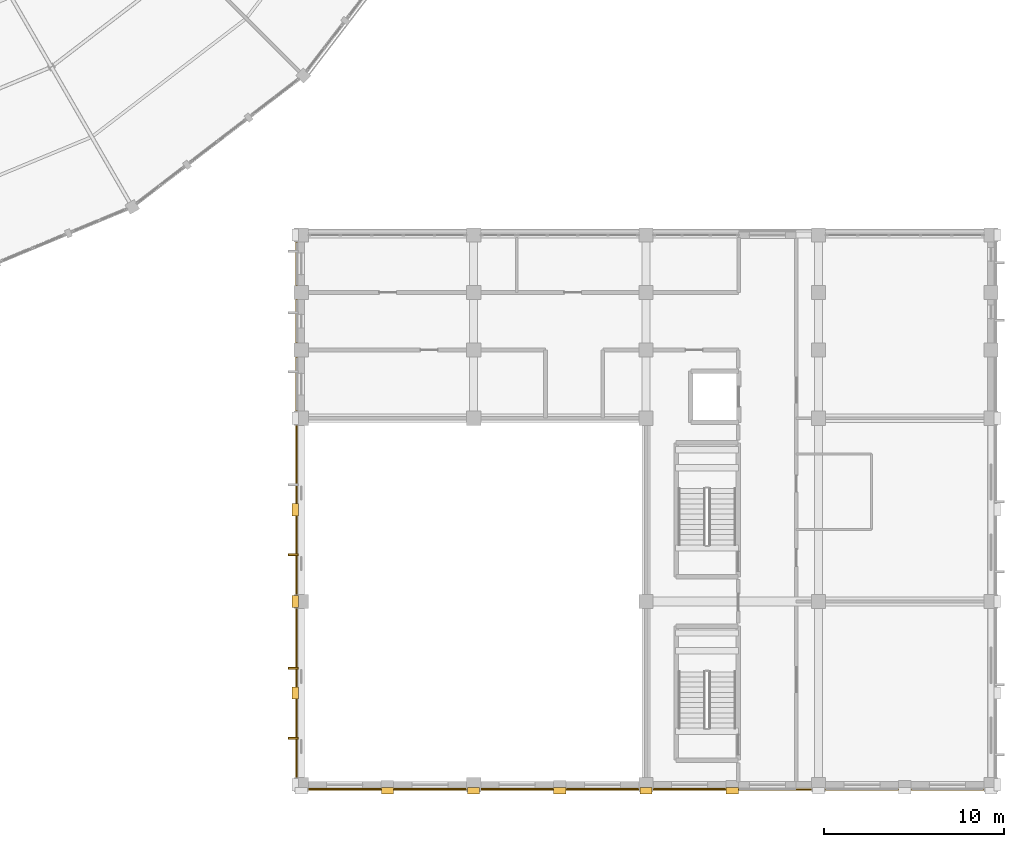
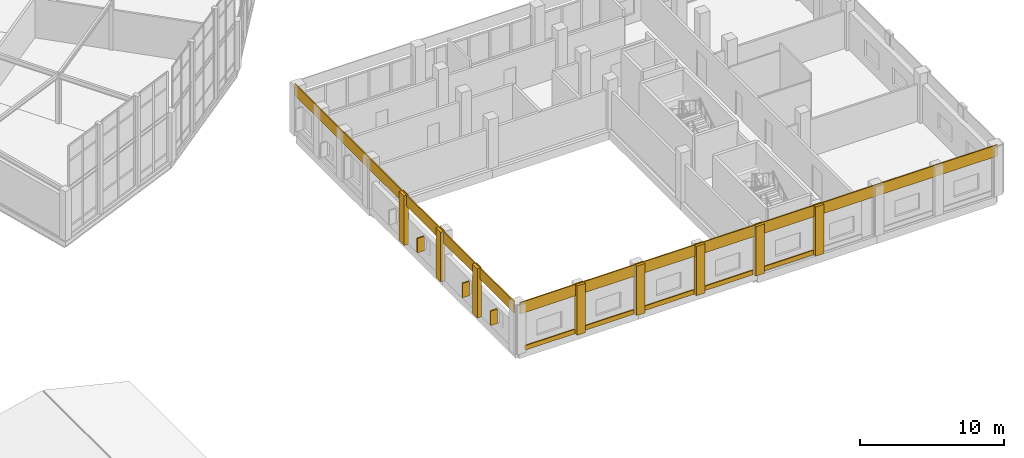
# One storey, part 166 of 170: 15 coverings, 3 shading devices.
"""IFC4 building model written with IfcOpenShell, lengths in metres."""

import ifcopenshell
import ifcopenshell.guid

model = None  # the IFC model being written
_history = None  # IfcOwnerHistory: only IFC2X3 demands one
_inside = {}  # id of a spatial element -> (the spatial element, [elements in it])
_under = {}  # id of a project, library or spatial element -> (it, [spatial elements below it])
_declared = {}  # id of a project -> (the project, [libraries it declares])
_typed = {}  # id of a type object -> (the type object, [elements of that type])
_made_of = {}  # id of a material, layer set ... -> (it, [elements and type objects made of it])


def new_model(schema):
    """Start an empty IFC model of exactly this schema.

    Asked for "IFC4X3", IfcOpenShell would pick the latest addendum, in which some entities
    have other attributes; the version numbers below select the first issue.
    IFC2X3 requires an IfcOwnerHistory on every rooted entity: one is made here for all.
    """
    global model, _history
    if schema == "IFC4X3":
        model = ifcopenshell.file(schema_version=(4, 3, 0, 0))
    else:
        model = ifcopenshell.file(schema=schema)
    _inside.clear()
    _under.clear()
    _declared.clear()
    _typed.clear()
    _made_of.clear()
    _history = None
    if model.schema == "IFC2X3":
        org = make("IfcOrganization", Name="unknown")
        user = make(
            "IfcPersonAndOrganization",
            ThePerson=make("IfcPerson", FamilyName="unknown"),
            TheOrganization=org,
        )
        app = make(
            "IfcApplication",
            ApplicationDeveloper=org,
            Version="unknown",
            ApplicationFullName="unknown",
            ApplicationIdentifier="unknown",
        )
        _history = make(
            "IfcOwnerHistory",
            OwningUser=user,
            OwningApplication=app,
            ChangeAction="ADDED",
            CreationDate=0,
        )
    return model


def make(cls, **values):
    """One entity of the class cls with the attributes given. An attribute that is None is left unset."""
    return model.create_entity(
        cls, **{name: value for name, value in values.items() if value is not None}
    )


def rooted(cls, **values):
    """An entity with a GlobalId (a new one), such as an element, a storey or a relation."""
    return make(cls, GlobalId=ifcopenshell.guid.new(), OwnerHistory=_history, **values)


def si_unit(unit_type, name, prefix=None):
    """IfcSIUnit, for example si_unit("LENGTHUNIT", "METRE", prefix="MILLI")."""
    return make("IfcSIUnit", UnitType=unit_type, Prefix=prefix, Name=name)


def assignment(units):
    """IfcUnitAssignment: the units of a project."""
    return None if units is None else make("IfcUnitAssignment", Units=units)


def point(xyz):
    """IfcCartesianPoint."""
    return None if xyz is None else make("IfcCartesianPoint", Coordinates=xyz)


def direction(xyz):
    """IfcDirection."""
    return None if xyz is None else make("IfcDirection", DirectionRatios=xyz)


def frame(location, z_axis=None, x_axis=None):
    """IfcAxis2Placement3D, a coordinate frame: its origin and axes. An axis left out is left unset."""
    return make(
        "IfcAxis2Placement3D",
        Location=point(location),
        Axis=direction(z_axis),
        RefDirection=direction(x_axis),
    )


def frame_2d(location, x_axis=None):
    """IfcAxis2Placement2D, a coordinate frame in the plane: its origin and x axis."""
    return make(
        "IfcAxis2Placement2D", Location=point(location), RefDirection=direction(x_axis)
    )


def origin():
    """The frame at (0, 0, 0) with its axes left unset."""
    return frame((0.0, 0.0, 0.0))


def origin_2d():
    """The frame at (0, 0) in the plane with its x axis left unset."""
    return frame_2d((0.0, 0.0))


def place(relative_to, where):
    """IfcLocalPlacement: puts the frame where relative to a parent placement (None: the world)."""
    return make(
        "IfcLocalPlacement", PlacementRelTo=relative_to, RelativePlacement=where
    )


def context(
    kind, dimensions, precision=None, world=None, true_north=None, identifier=None
):
    """IfcGeometricRepresentationContext, for example the 3D "Model" context."""
    return make(
        "IfcGeometricRepresentationContext",
        ContextIdentifier=identifier,
        ContextType=kind,
        CoordinateSpaceDimension=dimensions,
        Precision=precision,
        WorldCoordinateSystem=world,
        TrueNorth=true_north,
    )


def subcontext(parent, identifier, kind, view, scale=None):
    """IfcGeometricRepresentationSubContext, for example "Body" below "Model"."""
    return make(
        "IfcGeometricRepresentationSubContext",
        ContextIdentifier=identifier,
        ContextType=kind,
        ParentContext=parent,
        TargetScale=scale,
        TargetView=view,
    )


def project(units=None, contexts=None):
    """IfcProject with its units and contexts."""
    return rooted(
        "IfcProject",
        Name="project",
        RepresentationContexts=contexts,
        UnitsInContext=assignment(units),
    )


def spatial(cls, under=None, at=None, **own):
    """A site, building, storey or space (cls), placed at a placement, below another one or the project."""
    s = rooted(cls, ObjectPlacement=at, **own)
    if under is not None:
        _under.setdefault(under.id(), (under, []))[1].append(s)
    return s


def profile(cls, at=None, kind="AREA", **sizes):
    """A parametric profile (cls). Its sizes go by their IFC names, for example OverallWidth=200.0."""
    return make(cls, ProfileType=kind, Position=at, **sizes)


def rectangle(**sizes):
    """IfcRectangleProfileDef."""
    return profile("IfcRectangleProfileDef", **sizes)


def extrude(swept, where, along, depth):
    """IfcExtrudedAreaSolid: the profile swept, set in the frame where, extruded along a direction by depth."""
    return make(
        "IfcExtrudedAreaSolid",
        SweptArea=swept,
        Position=where,
        ExtrudedDirection=direction(along),
        Depth=depth,
    )


def shape(context_of_items, identifier, shape_type, items):
    """IfcShapeRepresentation: the items that make up one representation, for example the "Body"."""
    return make(
        "IfcShapeRepresentation",
        ContextOfItems=context_of_items,
        RepresentationIdentifier=identifier,
        RepresentationType=shape_type,
        Items=items,
    )


def material(Name=None, Category=None):
    """IfcMaterial."""
    return make("IfcMaterial", Name=Name, Category=Category)


def layer(
    of_material, thickness, ventilated=None, Name=None, Category=None, Priority=None
):
    """IfcMaterialLayer: one layer of a wall or slab, of a material (None: an air gap)."""
    return make(
        "IfcMaterialLayer",
        Material=of_material,
        LayerThickness=thickness,
        IsVentilated=ventilated,
        Name=Name,
        Category=Category,
        Priority=Priority,
    )


def layer_set(layers, Name=None):
    """IfcMaterialLayerSet."""
    return make("IfcMaterialLayerSet", MaterialLayers=layers, LayerSetName=Name)


def made_of(thing, what):
    """Note that an element or type object is made of a material, layer set ...; save() writes the relation."""
    if what is not None:
        _made_of.setdefault(what.id(), (what, []))[1].append(thing)
    return thing


def type_object(cls, material=None, **own):
    """A type object (cls), such as IfcWallType, which elements share."""
    return made_of(rooted(cls, **own), material)


def element(
    cls,
    number,
    at=None,
    inside=None,
    cuts=None,
    type_object=None,
    material=None,
    context=None,
    identifier="Body",
    shape_type=None,
    held_by="IfcProductDefinitionShape",
    body=None,
    shapes=None,
    **own,
):
    """One element of the class cls, such as IfcWall. Its Tag is "e" and its number.

    at: its placement. inside: the storey or other place that contains it. cuts: it is an
    opening in that element (IfcRelVoidsElement). A single representation is given by context,
    identifier, shape_type and body (its items); several are given by shapes. held_by: the class
    of the entity that holds the representations. save() writes the other relations.
    """
    e = rooted(cls, Tag="e%d" % number, ObjectPlacement=at, **own)
    if body is not None:
        shapes = [shape(context, identifier, shape_type, body)]
    if shapes is not None:
        e.Representation = make(held_by, Representations=shapes)
    if inside is not None:
        _inside.setdefault(inside.id(), (inside, []))[1].append(e)
    if cuts is not None:
        rooted(
            "IfcRelVoidsElement", RelatingBuildingElement=cuts, RelatedOpeningElement=e
        )
    if type_object is not None:
        _typed.setdefault(type_object.id(), (type_object, []))[1].append(e)
    return made_of(e, material)


def aggregate(whole, parts):
    """IfcRelAggregates: a whole, such as a stair, and the parts it consists of."""
    return rooted("IfcRelAggregates", RelatingObject=whole, RelatedObjects=parts)


def save(model, path):
    """Write the relations noted so far, then the file.

    IfcRelAggregates (storeys below a building ...), IfcRelContainedInSpatialStructure (elements
    in a storey), IfcRelDefinesByType, IfcRelAssociatesMaterial and IfcRelDeclares: one each for
    every whole, place, type object, material and project.
    """
    for whole, parts in _under.values():
        aggregate(whole, parts)
    for where, things in _inside.values():
        rooted(
            "IfcRelContainedInSpatialStructure",
            RelatedElements=things,
            RelatingStructure=where,
        )
    for kind, things in _typed.values():
        rooted("IfcRelDefinesByType", RelatedObjects=things, RelatingType=kind)
    for what, things in _made_of.values():
        rooted("IfcRelAssociatesMaterial", RelatedObjects=things, RelatingMaterial=what)
    for by, libraries in _declared.values():
        rooted("IfcRelDeclares", RelatingContext=by, RelatedDefinitions=libraries)
    model.write(path)


model = new_model("IFC4")

# Units and contexts
model_context = context("Model", 3, precision=1e-05, world=origin(), true_north=direction((0.0, 1.0)))
body_context = subcontext(model_context, "Body", "Model", "MODEL_VIEW")
ifc_project = project(units=[si_unit("LENGTHUNIT", "METRE"), si_unit("AREAUNIT", "SQUARE_METRE"), si_unit("VOLUMEUNIT", "CUBIC_METRE"), si_unit("PLANEANGLEUNIT", "RADIAN"), si_unit("MASSUNIT", "GRAM", prefix="KILO")], contexts=[model_context])

# Site, building, storey
site_placement = place(None, origin())
site = spatial("IfcSite", under=ifc_project, at=site_placement, CompositionType="ELEMENT")
building_placement = place(site_placement, origin())
building = spatial("IfcBuilding", under=site, at=building_placement, Name="Vondelvale Polytechnic", CompositionType="ELEMENT")
storey_placement = place(building_placement, frame((0.0, 0.0, 5.39990234375)))
storey = spatial("IfcBuildingStorey", under=building, at=storey_placement, Name="L01", CompositionType="ELEMENT", Elevation=5.39990234375)

# Coverings
ifc_material_1 = material(Name="Amsterdam School iron-spot clinker clay brickwork", Category="masonry")
ifc_layer = layer(ifc_material_1, 0.090087890625)
ifc_layer_set = layer_set([ifc_layer], Name="COV-BRICK-RELIEF")
covering_type = type_object("IfcCoveringType", Name="COV-BRICK-RELIEF", PredefinedType="CLADDING", material=ifc_layer_set)
covering_1_placement = place(storey_placement, frame((153.60009765625, -0.264892578125, 3.240234375), z_axis=(0.0, 0.0, 1.0), x_axis=(1.0, 0.0, 0.0)))
element("IfcCovering", 1, at=covering_1_placement, inside=storey, type_object=covering_type, Name="L01 exterior masonry spandrel band", PredefinedType="CLADDING", context=body_context, shape_type="SweptSolid", body=[
    extrude(rectangle(XDim=38.39990234375, YDim=0.090087890625, at=origin_2d()), origin(), (0.0, 0.0, 1.0), 0.9599609375),
])
covering_2_placement = place(storey_placement, frame((134.135009765625, 15.300048828125, 3.240234375), z_axis=(0.0, 0.0, 1.0), x_axis=(0.0, 1.0, 0.0)))
element("IfcCovering", 2, at=covering_2_placement, inside=storey, type_object=covering_type, Name="L01 exterior masonry spandrel band", PredefinedType="CLADDING", context=body_context, shape_type="SweptSolid", body=[
    extrude(rectangle(XDim=30.60009765625, YDim=0.090087890625, at=origin_2d()), origin(), (0.0, 0.0, 1.0), 0.9599609375),
])
for number, where, z_axis, x_axis, name in (
    (3, (136.824951171875, -0.23095703125, 0.000244140625), (0.0, 0.0, 1.0), (-1.0, 0.0, 0.0), "L01 exterior corbelled masonry relief band"),
    (4, (141.574951171875, -0.23095703125, 0.000244140625), (0.0, 0.0, 1.0), (-1.0, 0.0, 0.0), "L01 exterior corbelled masonry relief band"),
    (5, (146.425048828125, -0.23095703125, 0.000244140625), (0.0, 0.0, 1.0), (-1.0, 0.0, 0.0), "L01 exterior corbelled masonry relief band"),
    (6, (151.175048828125, -0.23095703125, 0.000244140625), (0.0, 0.0, 1.0), (-1.0, 0.0, 0.0), "L01 exterior corbelled masonry relief band"),
    (7, (156.02490234375, -0.23095703125, 0.000244140625), (0.0, 0.0, 1.0), (-1.0, 0.0, 0.0), "L01 exterior corbelled masonry relief band"),
):
    element("IfcCovering", number, at=place(storey_placement, frame(where, z_axis=z_axis, x_axis=x_axis)), inside=storey, type_object=covering_type, Name=name, PredefinedType="CLADDING", context=body_context, shape_type="SweptSolid", body=[
        extrude(rectangle(XDim=3.988037109375, YDim=0.090087890625, at=origin_2d()), origin(), (0.0, 0.0, 1.0), 0.3798828125),
    ])
for number, where, z_axis, x_axis, name in (
    (8, (139.199951171875, -0.340087890625, 0.0), (0.0, 0.0, 1.0), (1.0, 0.0, 0.0), "L01 Lecture wing giant-order pilaster S"),
    (9, (144.0, -0.340087890625, 0.0), (0.0, 0.0, 1.0), (1.0, 0.0, 0.0), "L01 Lecture wing giant-order pilaster S"),
    (10, (148.800048828125, -0.340087890625, 0.0), (0.0, 0.0, 1.0), (1.0, 0.0, 0.0), "L01 Lecture wing giant-order pilaster S"),
    (11, (153.60009765625, -0.340087890625, 0.0), (0.0, 0.0, 1.0), (1.0, 0.0, 0.0), "L01 Lecture wing giant-order pilaster S"),
    (12, (158.39990234375, -0.340087890625, 0.0), (0.0, 0.0, 1.0), (1.0, 0.0, 0.0), "L01 Lecture wing giant-order pilaster S"),
):
    element("IfcCovering", number, at=place(storey_placement, frame(where, z_axis=z_axis, x_axis=x_axis)), inside=storey, type_object=covering_type, Name=name, PredefinedType="CLADDING", context=body_context, shape_type="SweptSolid", body=[
        extrude(rectangle(XDim=0.679931640625, YDim=0.360107421875, at=origin_2d()), origin(), (0.0, 0.0, 1.0), 4.199951171875),
    ])
for number, where, z_axis, x_axis, name in (
    (13, (134.06005859375, 5.10009765625, 0.0), (0.0, 0.0, 1.0), (1.0, 0.0, 0.0), "L01 Lecture wing giant-order pilaster W"),
    (14, (134.06005859375, 10.199951171875, 0.0), (0.0, 0.0, 1.0), (1.0, 0.0, 0.0), "L01 Lecture wing giant-order pilaster W"),
    (15, (134.06005859375, 15.300048828125, 0.0), (0.0, 0.0, 1.0), (1.0, 0.0, 0.0), "L01 Lecture wing giant-order pilaster W"),
):
    element("IfcCovering", number, at=place(storey_placement, frame(where, z_axis=z_axis, x_axis=x_axis)), inside=storey, type_object=covering_type, Name=name, PredefinedType="CLADDING", context=body_context, shape_type="SweptSolid", body=[
        extrude(rectangle(XDim=0.360107421875, YDim=0.679931640625, at=origin_2d()), origin(), (0.0, 0.0, 1.0), 4.199951171875),
    ])

# Shading devices
ifc_material_2 = material(Name="Kiln-fired architectural terracotta", Category="masonry")
shading_device_type = type_object("IfcShadingDeviceType", Name="SHD-TERRA-FIN-550", PredefinedType="JALOUSIE", material=ifc_material_2)
for number, where, z_axis, x_axis, name in (
    (16, (133.949951171875, 2.591064453125, 0.7900390625), (0.0, 0.0, 1.0), (0.0, 1.0, 0.0), "L01 vertical terracotta solar fin"),
    (17, (133.949951171875, 6.490966796875, 0.7900390625), (0.0, 0.0, 1.0), (0.0, 1.0, 0.0), "L01 vertical terracotta solar fin"),
    (18, (133.949951171875, 12.791015625, 0.7900390625), (0.0, 0.0, 1.0), (0.0, 1.0, 0.0), "L01 vertical terracotta solar fin"),
):
    element("IfcShadingDevice", number, at=place(storey_placement, frame(where, z_axis=z_axis, x_axis=x_axis)), inside=storey, type_object=shading_device_type, Name=name, PredefinedType="JALOUSIE", context=body_context, shape_type="SweptSolid", body=[
        extrude(rectangle(XDim=0.110107421875, YDim=0.550048828125, at=origin_2d()), origin(), (0.0, 0.0, 1.0), 1.219970703125),
    ])

save(model, "model.ifc")
